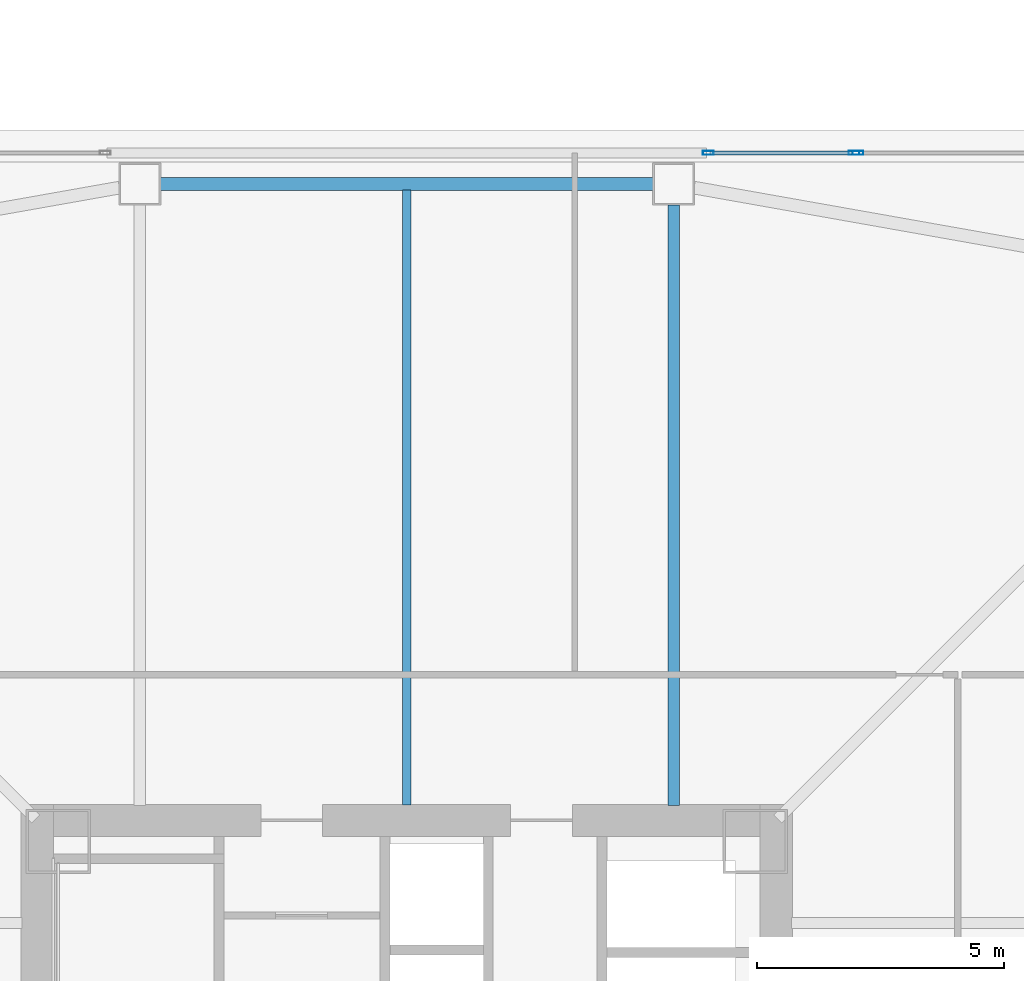
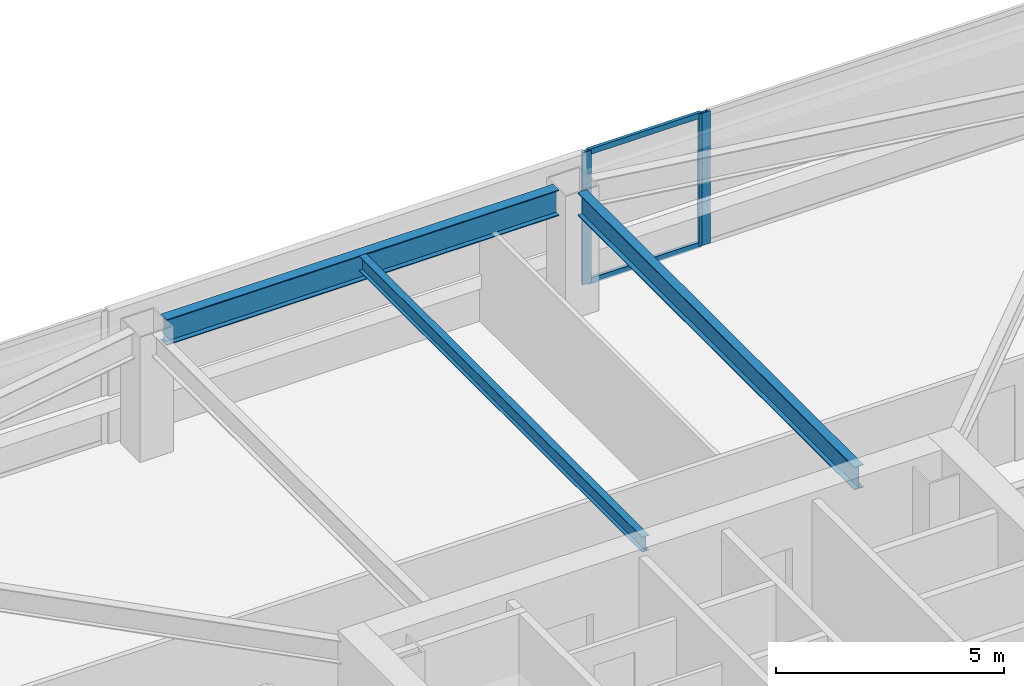
# One storey, part 13 of 46: 5 members, 3 beams, 2 elements without a shape of their own.
"""IFC4 building model written with IfcOpenShell, lengths in metres."""

import ifcopenshell
import ifcopenshell.guid

model = None  # the IFC model being written
_history = None  # IfcOwnerHistory: only IFC2X3 demands one
_inside = {}  # id of a spatial element -> (the spatial element, [elements in it])
_under = {}  # id of a project, library or spatial element -> (it, [spatial elements below it])
_declared = {}  # id of a project -> (the project, [libraries it declares])
_typed = {}  # id of a type object -> (the type object, [elements of that type])
_made_of = {}  # id of a material, layer set ... -> (it, [elements and type objects made of it])


def new_model(schema):
    """Start an empty IFC model of exactly this schema.

    Asked for "IFC4X3", IfcOpenShell would pick the latest addendum, in which some entities
    have other attributes; the version numbers below select the first issue.
    IFC2X3 requires an IfcOwnerHistory on every rooted entity: one is made here for all.
    """
    global model, _history
    if schema == "IFC4X3":
        model = ifcopenshell.file(schema_version=(4, 3, 0, 0))
    else:
        model = ifcopenshell.file(schema=schema)
    _inside.clear()
    _under.clear()
    _declared.clear()
    _typed.clear()
    _made_of.clear()
    _history = None
    if model.schema == "IFC2X3":
        org = make("IfcOrganization", Name="unknown")
        user = make(
            "IfcPersonAndOrganization",
            ThePerson=make("IfcPerson", FamilyName="unknown"),
            TheOrganization=org,
        )
        app = make(
            "IfcApplication",
            ApplicationDeveloper=org,
            Version="unknown",
            ApplicationFullName="unknown",
            ApplicationIdentifier="unknown",
        )
        _history = make(
            "IfcOwnerHistory",
            OwningUser=user,
            OwningApplication=app,
            ChangeAction="ADDED",
            CreationDate=0,
        )
    return model


def make(cls, **values):
    """One entity of the class cls with the attributes given. An attribute that is None is left unset."""
    return model.create_entity(
        cls, **{name: value for name, value in values.items() if value is not None}
    )


def rooted(cls, **values):
    """An entity with a GlobalId (a new one), such as an element, a storey or a relation."""
    return make(cls, GlobalId=ifcopenshell.guid.new(), OwnerHistory=_history, **values)


def si_unit(unit_type, name, prefix=None):
    """IfcSIUnit, for example si_unit("LENGTHUNIT", "METRE", prefix="MILLI")."""
    return make("IfcSIUnit", UnitType=unit_type, Prefix=prefix, Name=name)


def assignment(units):
    """IfcUnitAssignment: the units of a project."""
    return None if units is None else make("IfcUnitAssignment", Units=units)


def point(xyz):
    """IfcCartesianPoint."""
    return None if xyz is None else make("IfcCartesianPoint", Coordinates=xyz)


def direction(xyz):
    """IfcDirection."""
    return None if xyz is None else make("IfcDirection", DirectionRatios=xyz)


def frame(location, z_axis=None, x_axis=None):
    """IfcAxis2Placement3D, a coordinate frame: its origin and axes. An axis left out is left unset."""
    return make(
        "IfcAxis2Placement3D",
        Location=point(location),
        Axis=direction(z_axis),
        RefDirection=direction(x_axis),
    )


def frame_2d(location, x_axis=None):
    """IfcAxis2Placement2D, a coordinate frame in the plane: its origin and x axis."""
    return make(
        "IfcAxis2Placement2D", Location=point(location), RefDirection=direction(x_axis)
    )


def origin():
    """The frame at (0, 0, 0) with its axes left unset."""
    return frame((0.0, 0.0, 0.0))


def origin_2d():
    """The frame at (0, 0) in the plane with its x axis left unset."""
    return frame_2d((0.0, 0.0))


def place(relative_to, where):
    """IfcLocalPlacement: puts the frame where relative to a parent placement (None: the world)."""
    return make(
        "IfcLocalPlacement", PlacementRelTo=relative_to, RelativePlacement=where
    )


def context(
    kind, dimensions, precision=None, world=None, true_north=None, identifier=None
):
    """IfcGeometricRepresentationContext, for example the 3D "Model" context."""
    return make(
        "IfcGeometricRepresentationContext",
        ContextIdentifier=identifier,
        ContextType=kind,
        CoordinateSpaceDimension=dimensions,
        Precision=precision,
        WorldCoordinateSystem=world,
        TrueNorth=true_north,
    )


def subcontext(parent, identifier, kind, view, scale=None):
    """IfcGeometricRepresentationSubContext, for example "Body" below "Model"."""
    return make(
        "IfcGeometricRepresentationSubContext",
        ContextIdentifier=identifier,
        ContextType=kind,
        ParentContext=parent,
        TargetScale=scale,
        TargetView=view,
    )


def project(units=None, contexts=None):
    """IfcProject with its units and contexts."""
    return rooted(
        "IfcProject",
        Name="project",
        RepresentationContexts=contexts,
        UnitsInContext=assignment(units),
    )


def spatial(cls, under=None, at=None, **own):
    """A site, building, storey or space (cls), placed at a placement, below another one or the project."""
    s = rooted(cls, ObjectPlacement=at, **own)
    if under is not None:
        _under.setdefault(under.id(), (under, []))[1].append(s)
    return s


def profile(cls, at=None, kind="AREA", **sizes):
    """A parametric profile (cls). Its sizes go by their IFC names, for example OverallWidth=200.0."""
    return make(cls, ProfileType=kind, Position=at, **sizes)


def hollow_rectangle(**sizes):
    """IfcRectangleHollowProfileDef."""
    return profile("IfcRectangleHollowProfileDef", **sizes)


def i_section(**sizes):
    """IfcIShapeProfileDef."""
    return profile("IfcIShapeProfileDef", **sizes)


def extrude(swept, where, along, depth):
    """IfcExtrudedAreaSolid: the profile swept, set in the frame where, extruded along a direction by depth."""
    return make(
        "IfcExtrudedAreaSolid",
        SweptArea=swept,
        Position=where,
        ExtrudedDirection=direction(along),
        Depth=depth,
    )


def shape(context_of_items, identifier, shape_type, items):
    """IfcShapeRepresentation: the items that make up one representation, for example the "Body"."""
    return make(
        "IfcShapeRepresentation",
        ContextOfItems=context_of_items,
        RepresentationIdentifier=identifier,
        RepresentationType=shape_type,
        Items=items,
    )


def material(Name=None, Category=None):
    """IfcMaterial."""
    return make("IfcMaterial", Name=Name, Category=Category)


def material_profile(
    of_material, cross_section, Name=None, Category=None, Priority=None
):
    """IfcMaterialProfile: a cross section and its material."""
    return make(
        "IfcMaterialProfile",
        Name=Name,
        Material=of_material,
        Profile=cross_section,
        Priority=Priority,
        Category=Category,
    )


def profile_set(profiles, Name=None, composite=None):
    """IfcMaterialProfileSet."""
    return make(
        "IfcMaterialProfileSet",
        Name=Name,
        MaterialProfiles=profiles,
        CompositeProfile=composite,
    )


def made_of(thing, what):
    """Note that an element or type object is made of a material, layer set ...; save() writes the relation."""
    if what is not None:
        _made_of.setdefault(what.id(), (what, []))[1].append(thing)
    return thing


def type_object(cls, material=None, **own):
    """A type object (cls), such as IfcWallType, which elements share."""
    return made_of(rooted(cls, **own), material)


def element(
    cls,
    number,
    at=None,
    inside=None,
    cuts=None,
    type_object=None,
    material=None,
    context=None,
    identifier="Body",
    shape_type=None,
    held_by="IfcProductDefinitionShape",
    body=None,
    shapes=None,
    **own,
):
    """One element of the class cls, such as IfcWall. Its Tag is "e" and its number.

    at: its placement. inside: the storey or other place that contains it. cuts: it is an
    opening in that element (IfcRelVoidsElement). A single representation is given by context,
    identifier, shape_type and body (its items); several are given by shapes. held_by: the class
    of the entity that holds the representations. save() writes the other relations.
    """
    e = rooted(cls, Tag="e%d" % number, ObjectPlacement=at, **own)
    if body is not None:
        shapes = [shape(context, identifier, shape_type, body)]
    if shapes is not None:
        e.Representation = make(held_by, Representations=shapes)
    if inside is not None:
        _inside.setdefault(inside.id(), (inside, []))[1].append(e)
    if cuts is not None:
        rooted(
            "IfcRelVoidsElement", RelatingBuildingElement=cuts, RelatedOpeningElement=e
        )
    if type_object is not None:
        _typed.setdefault(type_object.id(), (type_object, []))[1].append(e)
    return made_of(e, material)


def aggregate(whole, parts):
    """IfcRelAggregates: a whole, such as a stair, and the parts it consists of."""
    return rooted("IfcRelAggregates", RelatingObject=whole, RelatedObjects=parts)


def save(model, path):
    """Write the relations noted so far, then the file.

    IfcRelAggregates (storeys below a building ...), IfcRelContainedInSpatialStructure (elements
    in a storey), IfcRelDefinesByType, IfcRelAssociatesMaterial and IfcRelDeclares: one each for
    every whole, place, type object, material and project.
    """
    for whole, parts in _under.values():
        aggregate(whole, parts)
    for where, things in _inside.values():
        rooted(
            "IfcRelContainedInSpatialStructure",
            RelatedElements=things,
            RelatingStructure=where,
        )
    for kind, things in _typed.values():
        rooted("IfcRelDefinesByType", RelatedObjects=things, RelatingType=kind)
    for what, things in _made_of.values():
        rooted("IfcRelAssociatesMaterial", RelatedObjects=things, RelatingMaterial=what)
    for by, libraries in _declared.values():
        rooted("IfcRelDeclares", RelatingContext=by, RelatedDefinitions=libraries)
    model.write(path)


model = new_model("IFC4")

# Units and contexts
model_context = context("Model", 3, precision=1e-05, world=origin(), true_north=direction((0.0, 1.0)))
body_context = subcontext(model_context, "Body", "Model", "MODEL_VIEW")
ifc_project = project(units=[si_unit("LENGTHUNIT", "METRE"), si_unit("AREAUNIT", "SQUARE_METRE"), si_unit("VOLUMEUNIT", "CUBIC_METRE"), si_unit("PLANEANGLEUNIT", "RADIAN"), si_unit("MASSUNIT", "GRAM", prefix="KILO")], contexts=[model_context])

# Site, building, storey
site_placement = place(None, origin())
site = spatial("IfcSite", under=ifc_project, at=site_placement, CompositionType="ELEMENT")
building_placement = place(site_placement, origin())
building = spatial("IfcBuilding", under=site, at=building_placement, Name="Tashvorn Skyway Center", CompositionType="ELEMENT")
storey_placement = place(building_placement, frame((0.0, 0.0, 99.14990234375)))
storey = spatial("IfcBuildingStorey", under=building, at=storey_placement, Name="L26", CompositionType="ELEMENT", Elevation=99.14990234375)

# Beams
ifc_material_1 = material(Name="Steel ASTM A992 Grade 50", Category="steel")
ifc_material_profile_1 = material_profile(ifc_material_1, i_section(OverallWidth=0.22998046875, OverallDepth=0.616943359375, WebThickness=0.01318359375, FlangeThickness=0.022216796875, at=origin_2d()), Name="W24X94")
ifc_profile_set_1 = profile_set([ifc_material_profile_1], Name="Steel ASTM A992 Grade 50")
beam_type_1 = type_object("IfcBeamType", Name="BM-BEAM-W24X94", PredefinedType="BEAM", material=ifc_profile_set_1)
beam_1_placement = place(storey_placement, frame((47.39990234375, 51.929931640625, 3.04150390625), z_axis=(0.0, -1.0, 0.0), x_axis=(1.0, 0.0, 0.0)))
element("IfcBeam", 1, at=beam_1_placement, inside=storey, type_object=beam_type_1, Name="Tower 1 L26 Primary Floor Girder FC-N1", PredefinedType="BEAM", context=body_context, shape_type="SweptSolid", body=[
    extrude(i_section(OverallWidth=0.22998046875, OverallDepth=0.616943359375, WebThickness=0.01318359375, FlangeThickness=0.022216796875, at=origin_2d()), origin(), (0.0, 0.0, 1.0), 12.14990234375),
])
ifc_material_profile_2 = material_profile(ifc_material_1, i_section(OverallWidth=0.177978515625, OverallDepth=0.406005859375, WebThickness=0.0078125, FlangeThickness=0.0126953125, at=origin_2d()), Name="W16X40")
ifc_profile_set_2 = profile_set([ifc_material_profile_2], Name="Steel ASTM A992 Grade 50")
beam_type_2 = type_object("IfcBeamType", Name="BM-JOIST-W16X40", PredefinedType="JOIST", material=ifc_profile_set_2)
beam_2_placement = place(storey_placement, frame((42.0, 39.7900390625, 3.147216796875), z_axis=(0.0, 1.0, 0.0), x_axis=(-1.0, 0.0, 0.0)))
element("IfcBeam", 2, at=beam_2_placement, inside=storey, type_object=beam_type_2, Name="Tower 1 L26 Secondary Composite Joist JN", PredefinedType="JOIST", context=body_context, shape_type="SweptSolid", body=[
    extrude(i_section(OverallWidth=0.177978515625, OverallDepth=0.406005859375, WebThickness=0.0078125, FlangeThickness=0.0126953125, at=origin_2d()), origin(), (0.0, 0.0, 1.0), 12.43994140625),
])
ifc_material_profile_3 = material_profile(ifc_material_1, i_section(OverallWidth=0.256103515625, OverallDepth=0.693115234375, WebThickness=0.014404296875, FlangeThickness=0.023681640625, at=origin_2d()), Name="W27X114")
ifc_profile_set_3 = profile_set([ifc_material_profile_3], Name="Steel ASTM A992 Grade 50")
beam_type_3 = type_object("IfcBeamType", Name="BM-SPANDREL-W27X114", PredefinedType="SPANDREL", material=ifc_profile_set_3)
beam_3_placement = place(storey_placement, frame((46.97998046875, 52.35009765625, 3.003662109375), z_axis=(-1.0, 0.0, 0.0), x_axis=(0.0, -1.0, 0.0)))
element("IfcBeam", 3, at=beam_3_placement, inside=storey, type_object=beam_type_3, Name="Tower 1 L26 Spandrel Beam 08", PredefinedType="SPANDREL", context=body_context, shape_type="SweptSolid", body=[
    extrude(i_section(OverallWidth=0.256103515625, OverallDepth=0.693115234375, WebThickness=0.014404296875, FlangeThickness=0.023681640625, at=origin_2d()), origin(), (0.0, 0.0, 1.0), 9.9599609375),
])

# Curtain wall, members
ifc_material_2 = material(Name="Thermally broken bronze-anodized aluminium 6063-T6", Category="aluminium")
curtain_wall_type = type_object("IfcCurtainWallType", Name="CW-CW-Z2", PredefinedType="NOTDEFINED", material=ifc_material_2)
curtain_wall_1_placement = place(storey_placement, origin())
curtain_wall_1 = element("IfcCurtainWall", 4, at=curtain_wall_1_placement, inside=storey, type_object=curtain_wall_type, Name="Tower 1 L26 North Unitised Curtain Wall Glazing Group 3", PredefinedType="NOTDEFINED")
ifc_material_profile_4 = material_profile(ifc_material_2, hollow_rectangle(XDim=0.080078125, YDim=0.219970703125, WallThickness=0.0048828125, at=origin_2d()), Name="ALU-MULL-80x220")
ifc_profile_set_4 = profile_set([ifc_material_profile_4], Name="Thermally broken bronze-anodized aluminium 6063-T6")
member_type_1 = type_object("IfcMemberType", Name="CWM-CW-Z2", PredefinedType="MULLION", material=ifc_profile_set_4)
member_1_placement = place(storey_placement, frame((48.10009765625, 52.97998046875, 0.0), z_axis=(0.0, 0.0, 1.0), x_axis=(0.0, 1.0, 0.0)))
member_1 = element("IfcMember", 5, at=member_1_placement, type_object=member_type_1, Name="CW-Z2 mullion 1", PredefinedType="MULLION", context=body_context, shape_type="SweptSolid", body=[
    extrude(hollow_rectangle(XDim=0.080078125, YDim=0.219970703125, WallThickness=0.0048828125, at=origin_2d()), origin(), (0.0, 0.0, 1.0), 3.550048828125),
])
member_2_placement = place(storey_placement, frame((51.050048828125, 52.97998046875, 0.0), z_axis=(0.0, 0.0, 1.0), x_axis=(0.0, 1.0, 0.0)))
member_2 = element("IfcMember", 6, at=member_2_placement, type_object=member_type_1, Name="CW-Z2 mullion 2", PredefinedType="MULLION", context=body_context, shape_type="SweptSolid", body=[
    extrude(hollow_rectangle(XDim=0.080078125, YDim=0.219970703125, WallThickness=0.0048828125, at=origin_2d()), origin(), (0.0, 0.0, 1.0), 3.550048828125),
])

# Curtain wall, member
curtain_wall_2_placement = place(storey_placement, origin())
curtain_wall_2 = element("IfcCurtainWall", 7, at=curtain_wall_2_placement, inside=storey, type_object=curtain_wall_type, Name="Tower 1 L26 North Unitised Curtain Wall Glazing Group 4", PredefinedType="NOTDEFINED")
member_3_placement = place(storey_placement, frame((51.1298828125, 52.97998046875, 0.0), z_axis=(0.0, 0.0, 1.0), x_axis=(0.0, 1.0, 0.0)))
member_3 = element("IfcMember", 8, at=member_3_placement, type_object=member_type_1, Name="CW-Z2 mullion 1", PredefinedType="MULLION", context=body_context, shape_type="SweptSolid", body=[
    extrude(hollow_rectangle(XDim=0.080078125, YDim=0.219970703125, WallThickness=0.0048828125, at=origin_2d()), origin(), (0.0, 0.0, 1.0), 3.550048828125),
])
aggregate(curtain_wall_2, [member_3])

# Member
ifc_material_profile_5 = material_profile(ifc_material_2, hollow_rectangle(XDim=0.080078125, YDim=0.14990234375, WallThickness=0.00439453125, at=origin_2d()), Name="ALU-TRAN-80x150")
ifc_profile_set_5 = profile_set([ifc_material_profile_5], Name="Thermally broken bronze-anodized aluminium 6063-T6")
member_type_2 = type_object("IfcMemberType", Name="CWT-CW-Z2", PredefinedType="USERDEFINED", material=ifc_profile_set_5)
member_4_placement = place(storey_placement, frame((48.139892578125, 52.97998046875, 0.0400390625), z_axis=(1.0, 0.0, 0.0), x_axis=(0.0, 1.0, 0.0)))
member_4 = element("IfcMember", 9, at=member_4_placement, type_object=member_type_2, Name="CW-Z2 transom 1.1", ObjectType="TRANSOM", PredefinedType="USERDEFINED", context=body_context, shape_type="SweptSolid", body=[
    extrude(hollow_rectangle(XDim=0.080078125, YDim=0.14990234375, WallThickness=0.00439453125, at=origin_2d()), origin(), (0.0, 0.0, 1.0), 2.8701171875),
])

member_5_placement = place(storey_placement, frame((48.139892578125, 52.97998046875, 3.510009765625), z_axis=(1.0, 0.0, 0.0), x_axis=(0.0, 1.0, 0.0)))
member_5 = element("IfcMember", 10, at=member_5_placement, type_object=member_type_2, Name="CW-Z2 transom 1.2", ObjectType="TRANSOM", PredefinedType="USERDEFINED", context=body_context, shape_type="SweptSolid", body=[
    extrude(hollow_rectangle(XDim=0.080078125, YDim=0.14990234375, WallThickness=0.00439453125, at=origin_2d()), origin(), (0.0, 0.0, 1.0), 2.8701171875),
])

aggregate(curtain_wall_1, [member_1, member_2, member_4, member_5])

save(model, "model.ifc")
